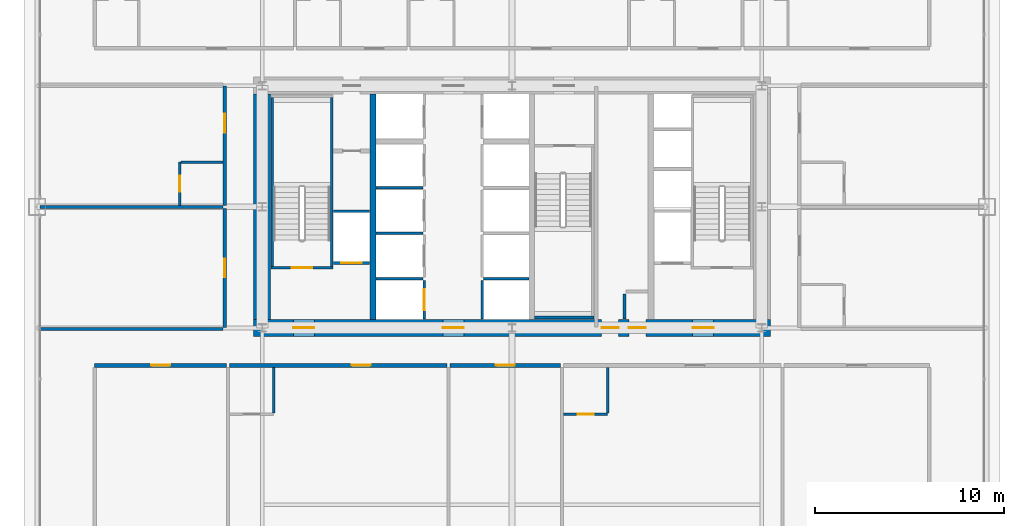
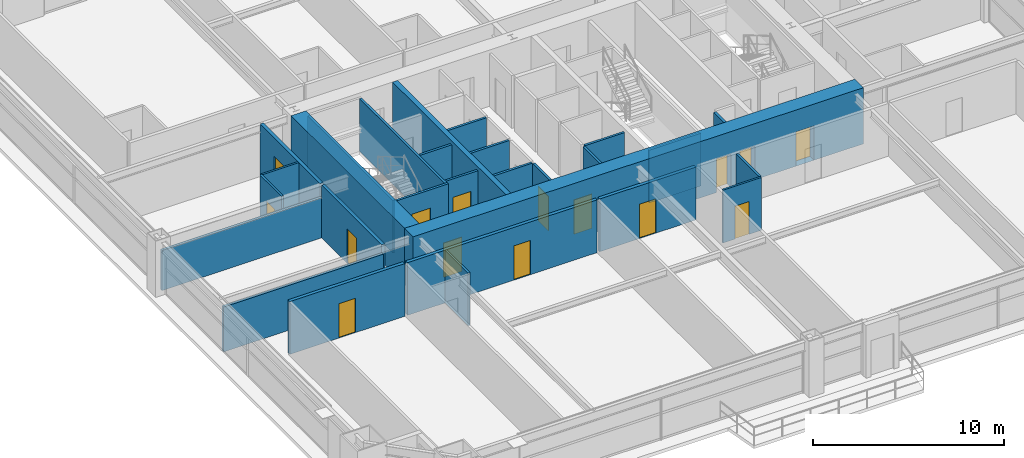
# One storey, part 39 of 43: 28 walls, 15 doors, 15 openings.
"""IFC4 building model written with IfcOpenShell, lengths in metres."""

from ifc_helpers import new_model, si_unit, direction, frame, frame_2d, origin, place, context, subcontext, project, spatial, rectangle, extrude, source, transform, mapped, material, layer, layer_set, type_object, element, fill, save


model = new_model("IFC4")

# Units and contexts
model_context = context("Model", 3, precision=1e-05, world=origin(), true_north=direction((0.0, 1.0)))
body_context = subcontext(model_context, "Body", "Model", "MODEL_VIEW")
ifc_project = project(units=[si_unit("LENGTHUNIT", "METRE"), si_unit("AREAUNIT", "SQUARE_METRE"), si_unit("VOLUMEUNIT", "CUBIC_METRE"), si_unit("PLANEANGLEUNIT", "RADIAN"), si_unit("MASSUNIT", "GRAM", prefix="KILO"), si_unit("THERMODYNAMICTEMPERATUREUNIT", "KELVIN"), si_unit("POWERUNIT", "WATT")], contexts=[model_context])

# Site, building, storey
site_placement = place(None, origin())
site = spatial("IfcSite", under=ifc_project, at=site_placement, CompositionType="ELEMENT")
building_placement = place(site_placement, origin())
building = spatial("IfcBuilding", under=site, at=building_placement, Name="Yuzanri Waterfront Tower", CompositionType="ELEMENT")
storey_placement = place(building_placement, frame((0.0, 0.0, 78.39990234375)))
storey = spatial("IfcBuildingStorey", under=building, at=storey_placement, Name="L20", CompositionType="ELEMENT", Elevation=78.39990234375)

# Wall, opening, door
ifc_material_1 = material(Name="Moisture-Resistant Gypsum Stud Wall", Category="gypsum")
ifc_layer_1 = layer(ifc_material_1, 0.1201171875)
ifc_layer_set_1 = layer_set([ifc_layer_1], Name="Moisture-Resistant Gypsum Stud Wall")
wall_type_1 = type_object("IfcWallType", Name="Bathroom and Kitchen Wet Partition 120", PredefinedType="PARTITIONING", material=ifc_layer_set_1)
wall_1_placement = place(storey_placement, frame((39.72705078125, 14.840087890625, 0.0), z_axis=(0.0, 0.0, 1.0), x_axis=(1.0, 0.0, 0.0)))
wall_1 = element("IfcWall", 1, at=wall_1_placement, inside=storey, type_object=wall_type_1, Name="L20 Partition UW-L20-S4-BS", PredefinedType="PARTITIONING", context=body_context, shape_type="SweptSolid", body=[
    extrude(rectangle(XDim=2.329833984375, YDim=0.1201171875, at=frame_2d((1.1650390625, 0.0))), origin(), (0.0, 0.0, 1.0), 3.380126953125),
])
opening_1_placement = place(wall_1_placement, frame((0.739990234375, 0.0, 0.0)))
opening_1 = element("IfcOpeningElement", 2, at=opening_1_placement, cuts=wall_1, Name="Opening ID-0850", PredefinedType="OPENING", context=body_context, shape_type="SweptSolid", body=[
    extrude(rectangle(XDim=0.85009765625, YDim=2.10009765625, at=frame_2d((0.425048828125, 1.050048828125))), frame((0.0, 0.074951171875, 0.0), z_axis=(0.0, -1.0, 0.0), x_axis=(1.0, 0.0, 0.0)), (0.0, 0.0, 1.0), 0.14990234375),
])
ifc_material_2 = material(Name="Moisture-Resistant Lacquered Timber", Category="wood")
door_type_1 = type_object("IfcDoorType", Name="En-Suite Bathroom and Kitchen Swing Door 850x2100", OperationType="NOTDEFINED", PredefinedType="DOOR", material=ifc_material_2)
shared_shape_1 = source(origin(), body_context, "Body", "SweptSolid", [
    extrude(rectangle(XDim=0.85009765625, YDim=2.10009765625, at=frame_2d((0.425048828125, 1.050048828125))), frame((0.0, 0.02490234375, 0.0), z_axis=(0.0, -1.0, 0.0), x_axis=(1.0, 0.0, 0.0)), (0.0, 0.0, 1.0), 0.050048828125),
])
door_1_placement = place(opening_1_placement, origin())
door_1 = element("IfcDoor", 3, at=door_1_placement, inside=storey, type_object=door_type_1, Name="L20 Guest En-Suite Door", OperationType="SINGLE_SWING_LEFT", OverallHeight=2.10009765625, OverallWidth=0.85009765625, PredefinedType="DOOR", context=body_context, shape_type="MappedRepresentation", body=[
    mapped(shared_shape_1, transform((0.0, 0.0, 0.0), scale=1.0)),
])
fill(opening_1, door_1)

wall_2_placement = place(storey_placement, frame((19.43994140625, 25.8798828125, 0.0), z_axis=(0.0, 0.0, 1.0), x_axis=(0.0, 1.0, 0.0)))
wall_2 = element("IfcWall", 4, at=wall_2_placement, inside=storey, type_object=wall_type_1, Name="L20 Partition UW-L20-W2-BW", PredefinedType="PARTITIONING", context=body_context, shape_type="SweptSolid", body=[
    extrude(rectangle(XDim=2.280029296875, YDim=0.1201171875, at=frame_2d((1.14013671875, 0.0))), origin(), (0.0, 0.0, 1.0), 3.380126953125),
])
opening_2_placement = place(wall_2_placement, frame((0.715087890625, 0.0, 0.0)))
opening_2 = element("IfcOpeningElement", 5, at=opening_2_placement, cuts=wall_2, Name="Opening ID-0850", PredefinedType="OPENING", context=body_context, shape_type="SweptSolid", body=[
    extrude(rectangle(XDim=0.85009765625, YDim=2.10009765625, at=frame_2d((0.425048828125, 1.050048828125))), frame((0.0, 0.074951171875, 0.0), z_axis=(0.0, -1.0, 0.0), x_axis=(1.0, 0.0, 0.0)), (0.0, 0.0, 1.0), 0.14990234375),
])
door_2_placement = place(opening_2_placement, origin())
door_2 = element("IfcDoor", 6, at=door_2_placement, inside=storey, type_object=door_type_1, Name="L20 Guest En-Suite Door", OperationType="SINGLE_SWING_LEFT", OverallHeight=2.10009765625, OverallWidth=0.85009765625, PredefinedType="DOOR", context=body_context, shape_type="MappedRepresentation", body=[
    mapped(shared_shape_1, transform((0.0, 0.0, 0.0), scale=1.0)),
])
fill(opening_2, door_2)

# Wall, openings, doors
ifc_material_3 = material(Name="Concrete C60", Category="concrete")
ifc_layer_2 = layer(ifc_material_3, 0.89990234375)
ifc_layer_set_2 = layer_set([ifc_layer_2], Name="Concrete C60")
wall_type_2 = type_object("IfcWallType", Name="Concrete C60 Lower Zone Core Shear Wall 900", PredefinedType="SHEAR", material=ifc_layer_set_2)
wall_3_placement = place(storey_placement, frame((23.35009765625, 19.39990234375, 0.0), z_axis=(0.0, 0.0, 1.0), x_axis=(1.0, 0.0, 0.0)))
wall_3 = element("IfcWall", 7, at=wall_3_placement, inside=storey, type_object=wall_type_2, Name="L20 Core South Shear Wall", PredefinedType="SHEAR", context=body_context, shape_type="SweptSolid", body=[
    extrude(rectangle(XDim=27.2998046875, YDim=0.89990234375, at=frame_2d((13.64990234375, 0.0))), origin(), (0.0, 0.0, 1.0), 3.60009765625),
])
opening_3_placement = place(wall_3_placement, frame((2.10009765625, 0.0, 0.0)))
opening_3 = element("IfcOpeningElement", 8, at=opening_3_placement, cuts=wall_3, Name="Opening FD-1100", PredefinedType="OPENING", context=body_context, shape_type="SweptSolid", body=[
    extrude(rectangle(XDim=1.10009765625, YDim=2.199951171875, at=frame_2d((0.550048828125, 1.10009765625))), frame((0.0, 0.46484375, 0.0), z_axis=(0.0, -1.0, 0.0), x_axis=(1.0, 0.0, 0.0)), (0.0, 0.0, 1.0), 0.9296875),
])
opening_4_placement = place(wall_3_placement, frame((10.0, 0.0, 0.0)))
opening_4 = element("IfcOpeningElement", 9, at=opening_4_placement, cuts=wall_3, Name="Opening FD-1100", PredefinedType="OPENING", context=body_context, shape_type="SweptSolid", body=[
    extrude(rectangle(XDim=1.10009765625, YDim=2.199951171875, at=frame_2d((0.550048828125, 1.10009765625))), frame((0.0, 0.46484375, 0.0), z_axis=(0.0, -1.0, 0.0), x_axis=(1.0, 0.0, 0.0)), (0.0, 0.0, 1.0), 0.9296875),
])
opening_5_placement = place(wall_3_placement, frame((23.199951171875, 0.0, 0.0)))
opening_5 = element("IfcOpeningElement", 10, at=opening_5_placement, cuts=wall_3, Name="Opening FD-1100", PredefinedType="OPENING", context=body_context, shape_type="SweptSolid", body=[
    extrude(rectangle(XDim=1.10009765625, YDim=2.199951171875, at=frame_2d((0.550048828125, 1.10009765625))), frame((0.0, 0.46484375, 0.0), z_axis=(0.0, -1.0, 0.0), x_axis=(1.0, 0.0, 0.0)), (0.0, 0.0, 1.0), 0.9296875),
])
opening_6_placement = place(wall_3_placement, frame((19.820068359375, 0.0, 0.0)))
opening_6 = element("IfcOpeningElement", 11, at=opening_6_placement, cuts=wall_3, Name="Opening FD-0900", PredefinedType="OPENING", context=body_context, shape_type="SweptSolid", body=[
    extrude(rectangle(XDim=0.89990234375, YDim=2.14990234375, at=frame_2d((0.449951171875, 1.074951171875))), frame((0.0, 0.46484375, 0.0), z_axis=(0.0, -1.0, 0.0), x_axis=(1.0, 0.0, 0.0)), (0.0, 0.0, 1.0), 0.9296875),
])
opening_7_placement = place(wall_3_placement, frame((18.3798828125, 0.0, 0.0)))
opening_7 = element("IfcOpeningElement", 12, at=opening_7_placement, cuts=wall_3, Name="Opening FD-0900", PredefinedType="OPENING", context=body_context, shape_type="SweptSolid", body=[
    extrude(rectangle(XDim=0.89990234375, YDim=2.14990234375, at=frame_2d((0.449951171875, 1.074951171875))), frame((0.0, 0.46484375, 0.0), z_axis=(0.0, -1.0, 0.0), x_axis=(1.0, 0.0, 0.0)), (0.0, 0.0, 1.0), 0.9296875),
])
ifc_material_4 = material(Name="Painted Galvanized Fire Steel", Category="steel")
door_type_2 = type_object("IfcDoorType", Name="Smoke-Proof Stair and Lobby Fire Door 1100x2200", OperationType="NOTDEFINED", PredefinedType="DOOR", material=ifc_material_4)
shared_shape_2 = source(origin(), body_context, "Body", "SweptSolid", [
    extrude(rectangle(XDim=1.10009765625, YDim=2.199951171875, at=frame_2d((0.550048828125, 1.10009765625))), frame((0.0, 0.02490234375, 0.0), z_axis=(0.0, -1.0, 0.0), x_axis=(1.0, 0.0, 0.0)), (0.0, 0.0, 1.0), 0.050048828125),
])
door_3_placement = place(opening_3_placement, origin())
door_3 = element("IfcDoor", 13, at=door_3_placement, inside=storey, type_object=door_type_2, Name="L20 West Firefighting Lobby Door", OperationType="SINGLE_SWING_LEFT", OverallHeight=2.199951171875, OverallWidth=1.10009765625, PredefinedType="DOOR", context=body_context, shape_type="MappedRepresentation", body=[
    mapped(shared_shape_2, transform((0.0, 0.0, 0.0), scale=1.0)),
])
fill(opening_3, door_3)
door_4_placement = place(opening_4_placement, origin())
door_4 = element("IfcDoor", 14, at=door_4_placement, inside=storey, type_object=door_type_2, Name="L20 Central Lift Lobby South Door", OperationType="SINGLE_SWING_RIGHT", OverallHeight=2.199951171875, OverallWidth=1.10009765625, PredefinedType="DOOR", context=body_context, shape_type="MappedRepresentation", body=[
    mapped(shared_shape_2, transform((0.0, 0.0, 0.0), scale=1.0)),
])
fill(opening_4, door_4)
door_5_placement = place(opening_5_placement, origin())
door_5 = element("IfcDoor", 15, at=door_5_placement, inside=storey, type_object=door_type_2, Name="L20 East Firefighting Lobby Door", OperationType="SINGLE_SWING_LEFT", OverallHeight=2.199951171875, OverallWidth=1.10009765625, PredefinedType="DOOR", context=body_context, shape_type="MappedRepresentation", body=[
    mapped(shared_shape_2, transform((0.0, 0.0, 0.0), scale=1.0)),
])
fill(opening_5, door_5)
ifc_material_5 = material(Name="Painted Galvanized Fire Steel", Category="steel")
door_type_3 = type_object("IfcDoorType", Name="Riser and Service Room Fire Door 900x2150", OperationType="NOTDEFINED", PredefinedType="DOOR", material=ifc_material_5)
shared_shape_3 = source(origin(), body_context, "Body", "SweptSolid", [
    extrude(rectangle(XDim=0.89990234375, YDim=2.14990234375, at=frame_2d((0.449951171875, 1.074951171875))), frame((0.0, 0.02490234375, 0.0), z_axis=(0.0, -1.0, 0.0), x_axis=(1.0, 0.0, 0.0)), (0.0, 0.0, 1.0), 0.050048828125),
])
door_6_placement = place(opening_6_placement, origin())
door_6 = element("IfcDoor", 16, at=door_6_placement, inside=storey, type_object=door_type_3, Name="L20 East Wet Riser Door", OperationType="SINGLE_SWING_RIGHT", OverallHeight=2.14990234375, OverallWidth=0.89990234375, PredefinedType="DOOR", context=body_context, shape_type="MappedRepresentation", body=[
    mapped(shared_shape_3, transform((0.0, 0.0, 0.0), scale=1.0)),
])
fill(opening_6, door_6)
door_7_placement = place(opening_7_placement, origin())
door_7 = element("IfcDoor", 17, at=door_7_placement, inside=storey, type_object=door_type_3, Name="L20 Housekeeping Room", OperationType="SINGLE_SWING_LEFT", OverallHeight=2.14990234375, OverallWidth=0.89990234375, PredefinedType="DOOR", context=body_context, shape_type="MappedRepresentation", body=[
    mapped(shared_shape_3, transform((0.0, 0.0, 0.0), scale=1.0)),
])
fill(opening_7, door_7)

# Wall, opening, door
ifc_material_6 = material(Name="Concrete C40", Category="concrete")
ifc_layer_3 = layer(ifc_material_6, 0.139892578125)
ifc_layer_set_3 = layer_set([ifc_layer_3], Name="Concrete C40")
wall_type_3 = type_object("IfcWallType", Name="Core Stair Liner and Hoistway Shaft Wall 140", PredefinedType="SOLIDWALL", material=ifc_layer_set_3)
wall_4_placement = place(storey_placement, frame((27.56005859375, 22.830078125, 0.0), z_axis=(0.0, 0.0, 1.0), x_axis=(1.0, 0.0, 0.0)))
wall_4 = element("IfcWall", 18, at=wall_4_placement, inside=storey, type_object=wall_type_3, Name="L20 Lift FL-01 Front Shaft Wall", PredefinedType="SOLIDWALL", context=body_context, shape_type="SweptSolid", body=[
    extrude(rectangle(XDim=1.919921875, YDim=0.139892578125, at=frame_2d((0.9599609375, 0.0))), origin(), (0.0, 0.0, 1.0), 3.380126953125),
])
opening_8_placement = place(wall_4_placement, frame((0.409912109375, 0.0, 0.0)))
opening_8 = element("IfcOpeningElement", 19, at=opening_8_placement, cuts=wall_4, Name="Opening LD-FL-01", PredefinedType="OPENING", context=body_context, shape_type="SweptSolid", body=[
    extrude(rectangle(XDim=1.10009765625, YDim=2.199951171875, at=frame_2d((0.550048828125, 1.10009765625))), frame((0.0, 0.0849609375, 0.0), z_axis=(0.0, -1.0, 0.0), x_axis=(1.0, 0.0, 0.0)), (0.0, 0.0, 1.0), 0.169677734375),
])
ifc_material_7 = material(Name="Brushed Bronze and Stainless Steel Cab", Category="steel")
door_type_4 = type_object("IfcDoorType", Name="Center-Parting Bronze Lift Landing Sliding Door 1100x2200", OperationType="NOTDEFINED", PredefinedType="DOOR", material=ifc_material_7)
shared_shape_4 = source(origin(), body_context, "Body", "SweptSolid", [
    extrude(rectangle(XDim=1.10009765625, YDim=2.199951171875, at=frame_2d((0.550048828125, 1.10009765625))), frame((0.0, 0.02490234375, 0.0), z_axis=(0.0, -1.0, 0.0), x_axis=(1.0, 0.0, 0.0)), (0.0, 0.0, 1.0), 0.050048828125),
])
door_8_placement = place(opening_8_placement, origin())
door_8 = element("IfcDoor", 20, at=door_8_placement, inside=storey, type_object=door_type_4, Name="L20 FL-01 Lift Landing Sliding Door", OperationType="SLIDING_TO_LEFT", OverallHeight=2.199951171875, OverallWidth=1.10009765625, PredefinedType="DOOR", context=body_context, shape_type="MappedRepresentation", body=[
    mapped(shared_shape_4, transform((0.0, 0.0, 0.0), scale=1.0)),
])
fill(opening_8, door_8)

wall_5_placement = place(storey_placement, frame((32.3701171875, 19.860107421875, 0.0), z_axis=(0.0, 0.0, 1.0), x_axis=(0.0, 1.0, 0.0)))
wall_5 = element("IfcWall", 21, at=wall_5_placement, inside=storey, type_object=wall_type_3, Name="L20 Lift PL-01 Front Shaft Wall", PredefinedType="SOLIDWALL", context=body_context, shape_type="SweptSolid", body=[
    extrude(rectangle(XDim=2.039794921875, YDim=0.139892578125, at=frame_2d((1.02001953125, 0.0))), origin(), (0.0, 0.0, 1.0), 3.380126953125),
])
opening_9_placement = place(wall_5_placement, frame((0.469970703125, 0.0, 0.0)))
opening_9 = element("IfcOpeningElement", 22, at=opening_9_placement, cuts=wall_5, Name="Opening LD-PL-01", PredefinedType="OPENING", context=body_context, shape_type="SweptSolid", body=[
    extrude(rectangle(XDim=1.10009765625, YDim=2.199951171875, at=frame_2d((0.550048828125, 1.10009765625))), frame((0.0, 0.0849609375, 0.0), z_axis=(0.0, -1.0, 0.0), x_axis=(1.0, 0.0, 0.0)), (0.0, 0.0, 1.0), 0.169677734375),
])
door_9_placement = place(opening_9_placement, origin())
door_9 = element("IfcDoor", 23, at=door_9_placement, inside=storey, type_object=door_type_4, Name="L20 PL-01 Lift Landing Sliding Door", OperationType="SLIDING_TO_LEFT", OverallHeight=2.199951171875, OverallWidth=1.10009765625, PredefinedType="DOOR", context=body_context, shape_type="MappedRepresentation", body=[
    mapped(shared_shape_4, transform((0.0, 0.0, 0.0), scale=1.0)),
])
fill(opening_9, door_9)

wall_6_placement = place(storey_placement, frame((24.260009765625, 22.570068359375, 0.0), z_axis=(0.0, 0.0, 1.0), x_axis=(1.0, 0.0, 0.0)))
wall_6 = element("IfcWall", 24, at=wall_6_placement, inside=storey, type_object=wall_type_3, Name="L20 Shaft Wall STW-L20-ST-01-S", PredefinedType="SOLIDWALL", context=body_context, shape_type="SweptSolid", body=[
    extrude(rectangle(XDim=3.280029296875, YDim=0.139892578125, at=frame_2d((1.64013671875, 0.0))), origin(), (0.0, 0.0, 1.0), 3.380126953125),
])
opening_10_placement = place(wall_6_placement, frame((1.090087890625, 0.0, 0.0)))
opening_10 = element("IfcOpeningElement", 25, at=opening_10_placement, cuts=wall_6, Name="Opening FD-1100", PredefinedType="OPENING", context=body_context, shape_type="SweptSolid", body=[
    extrude(rectangle(XDim=1.10009765625, YDim=2.199951171875, at=frame_2d((0.550048828125, 1.10009765625))), frame((0.0, 0.0849609375, 0.0), z_axis=(0.0, -1.0, 0.0), x_axis=(1.0, 0.0, 0.0)), (0.0, 0.0, 1.0), 0.169677734375),
])
door_10_placement = place(opening_10_placement, origin())
door_10 = element("IfcDoor", 26, at=door_10_placement, inside=storey, type_object=door_type_2, Name="L20 Stair ST-01 Fire Door", OperationType="SINGLE_SWING_RIGHT", OverallHeight=2.199951171875, OverallWidth=1.10009765625, PredefinedType="DOOR", context=body_context, shape_type="MappedRepresentation", body=[
    mapped(shared_shape_2, transform((0.0, 0.0, 0.0), scale=1.0)),
])
fill(opening_10, door_10)

ifc_material_8 = material(Name="Autoclaved Aerated Concrete Blockwork", Category="masonry")
ifc_layer_4 = layer(ifc_material_8, 0.199951171875)
ifc_layer_set_4 = layer_set([ifc_layer_4], Name="Autoclaved Aerated Concrete Blockwork")
wall_type_4 = type_object("IfcWallType", Name="Corridor and Unit Party Fire Wall 200", PredefinedType="PARTITIONING", material=ifc_layer_set_4)
wall_7_placement = place(storey_placement, frame((14.93994140625, 17.419921875, 0.0), z_axis=(0.0, 0.0, 1.0), x_axis=(1.0, 0.0, 0.0)))
wall_7 = element("IfcWall", 27, at=wall_7_placement, inside=storey, type_object=wall_type_4, Name="L20 Partition UW-L20-S1-CN", PredefinedType="PARTITIONING", context=body_context, shape_type="SweptSolid", body=[
    extrude(rectangle(XDim=6.97900390625, YDim=0.199951171875, at=frame_2d((3.489501953125, 0.0))), origin(), (0.0, 0.0, 1.0), 3.380126953125),
])
opening_11_placement = place(wall_7_placement, frame((2.989990234375, 0.0, 0.0)))
opening_11 = element("IfcOpeningElement", 28, at=opening_11_placement, cuts=wall_7, Name="Opening FD-1000", PredefinedType="OPENING", context=body_context, shape_type="SweptSolid", body=[
    extrude(rectangle(XDim=1.0, YDim=2.199951171875, at=frame_2d((0.5, 1.10009765625))), frame((0.0, 0.11474609375, 0.0), z_axis=(0.0, -1.0, 0.0), x_axis=(1.0, 0.0, 0.0)), (0.0, 0.0, 1.0), 0.229736328125),
])
ifc_material_9 = material(Name="Engineered Oak Fire-Rated Timber", Category="wood")
door_type_5 = type_object("IfcDoorType", Name="Guestroom and Apartment Entrance Fire Door 1000x2200", OperationType="NOTDEFINED", PredefinedType="DOOR", material=ifc_material_9)
shared_shape_5 = source(origin(), body_context, "Body", "SweptSolid", [
    extrude(rectangle(XDim=1.0, YDim=2.199951171875, at=frame_2d((0.5, 1.10009765625))), frame((0.0, 0.02490234375, 0.0), z_axis=(0.0, -1.0, 0.0), x_axis=(1.0, 0.0, 0.0)), (0.0, 0.0, 1.0), 0.050048828125),
])
door_11_placement = place(opening_11_placement, origin())
door_11 = element("IfcDoor", 29, at=door_11_placement, inside=storey, type_object=door_type_5, Name="L20 Presidential Club Room Entrance Door", OperationType="SINGLE_SWING_RIGHT", OverallHeight=2.199951171875, OverallWidth=1.0, PredefinedType="DOOR", context=body_context, shape_type="MappedRepresentation", body=[
    mapped(shared_shape_5, transform((0.0, 0.0, 0.0), scale=1.0)),
])
fill(opening_11, door_11)

wall_8_placement = place(storey_placement, frame((22.0791015625, 17.419921875, 0.0), z_axis=(0.0, 0.0, 1.0), x_axis=(1.0, 0.0, 0.0)))
wall_8 = element("IfcWall", 30, at=wall_8_placement, inside=storey, type_object=wall_type_4, Name="L20 Partition UW-L20-S2-CN", PredefinedType="PARTITIONING", context=body_context, shape_type="SweptSolid", body=[
    extrude(rectangle(XDim=11.48779296875, YDim=0.199951171875, at=frame_2d((5.743896484375, 0.0))), origin(), (0.0, 0.0, 1.0), 3.380126953125),
])
opening_12_placement = place(wall_8_placement, frame((6.448974609375, 0.0, 0.0)))
opening_12 = element("IfcOpeningElement", 31, at=opening_12_placement, cuts=wall_8, Name="Opening FD-1000", PredefinedType="OPENING", context=body_context, shape_type="SweptSolid", body=[
    extrude(rectangle(XDim=1.0, YDim=2.199951171875, at=frame_2d((0.5, 1.10009765625))), frame((0.0, 0.11474609375, 0.0), z_axis=(0.0, -1.0, 0.0), x_axis=(1.0, 0.0, 0.0)), (0.0, 0.0, 1.0), 0.229736328125),
])
door_12_placement = place(opening_12_placement, origin())
door_12 = element("IfcDoor", 32, at=door_12_placement, inside=storey, type_object=door_type_5, Name="L20 Royal Riverfront Suite Entrance Door", OperationType="SINGLE_SWING_LEFT", OverallHeight=2.199951171875, OverallWidth=1.0, PredefinedType="DOOR", context=body_context, shape_type="MappedRepresentation", body=[
    mapped(shared_shape_5, transform((0.0, 0.0, 0.0), scale=1.0)),
])
fill(opening_12, door_12)

wall_9_placement = place(storey_placement, frame((33.72705078125, 17.419921875, 0.0), z_axis=(0.0, 0.0, 1.0), x_axis=(1.0, 0.0, 0.0)))
wall_9 = element("IfcWall", 33, at=wall_9_placement, inside=storey, type_object=wall_type_4, Name="L20 Partition UW-L20-S3-CN", PredefinedType="PARTITIONING", context=body_context, shape_type="SweptSolid", body=[
    extrude(rectangle(XDim=5.83984375, YDim=0.199951171875, at=frame_2d((2.919921875, 0.0))), origin(), (0.0, 0.0, 1.0), 3.380126953125),
])
opening_13_placement = place(wall_9_placement, frame((2.419921875, 0.0, 0.0)))
opening_13 = element("IfcOpeningElement", 34, at=opening_13_placement, cuts=wall_9, Name="Opening FD-1000", PredefinedType="OPENING", context=body_context, shape_type="SweptSolid", body=[
    extrude(rectangle(XDim=1.0, YDim=2.199951171875, at=frame_2d((0.5, 1.10009765625))), frame((0.0, 0.11474609375, 0.0), z_axis=(0.0, -1.0, 0.0), x_axis=(1.0, 0.0, 0.0)), (0.0, 0.0, 1.0), 0.229736328125),
])
door_13_placement = place(opening_13_placement, origin())
door_13 = element("IfcDoor", 35, at=door_13_placement, inside=storey, type_object=door_type_5, Name="L20 Horizon Club Room Entrance Door", OperationType="SINGLE_SWING_LEFT", OverallHeight=2.199951171875, OverallWidth=1.0, PredefinedType="DOOR", context=body_context, shape_type="MappedRepresentation", body=[
    mapped(shared_shape_5, transform((0.0, 0.0, 0.0), scale=1.0)),
])
fill(opening_13, door_13)

wall_10_placement = place(storey_placement, frame((21.820068359375, 19.409912109375, 0.0), z_axis=(0.0, 0.0, 1.0), x_axis=(0.0, 1.0, 0.0)))
wall_10 = element("IfcWall", 36, at=wall_10_placement, inside=storey, type_object=wall_type_4, Name="L20 Partition UW-L20-W1-CW", PredefinedType="PARTITIONING", context=body_context, shape_type="SweptSolid", body=[
    extrude(rectangle(XDim=6.31005859375, YDim=0.199951171875, at=frame_2d((3.155029296875, 0.0))), origin(), (0.0, 0.0, 1.0), 3.380126953125),
])
opening_14_placement = place(wall_10_placement, frame((2.655029296875, 0.0, 0.0)))
opening_14 = element("IfcOpeningElement", 37, at=opening_14_placement, cuts=wall_10, Name="Opening FD-1000", PredefinedType="OPENING", context=body_context, shape_type="SweptSolid", body=[
    extrude(rectangle(XDim=1.0, YDim=2.199951171875, at=frame_2d((0.5, 1.10009765625))), frame((0.0, 0.11474609375, 0.0), z_axis=(0.0, -1.0, 0.0), x_axis=(1.0, 0.0, 0.0)), (0.0, 0.0, 1.0), 0.229736328125),
])
door_14_placement = place(opening_14_placement, origin())
door_14 = element("IfcDoor", 38, at=door_14_placement, inside=storey, type_object=door_type_5, Name="L20 West Club Room Entrance Door", OperationType="SINGLE_SWING_LEFT", OverallHeight=2.199951171875, OverallWidth=1.0, PredefinedType="DOOR", context=body_context, shape_type="MappedRepresentation", body=[
    mapped(shared_shape_5, transform((0.0, 0.0, 0.0), scale=1.0)),
])
fill(opening_14, door_14)

wall_11_placement = place(storey_placement, frame((21.820068359375, 25.8798828125, 0.0), z_axis=(0.0, 0.0, 1.0), x_axis=(0.0, 1.0, 0.0)))
wall_11 = element("IfcWall", 39, at=wall_11_placement, inside=storey, type_object=wall_type_4, Name="L20 Partition UW-L20-W2-CW", PredefinedType="PARTITIONING", context=body_context, shape_type="SweptSolid", body=[
    extrude(rectangle(XDim=6.31005859375, YDim=0.199951171875, at=frame_2d((3.155029296875, 0.0))), origin(), (0.0, 0.0, 1.0), 3.380126953125),
])
opening_15_placement = place(wall_11_placement, frame((3.8349609375, 0.0, 0.0)))
opening_15 = element("IfcOpeningElement", 40, at=opening_15_placement, cuts=wall_11, Name="Opening FD-1000", PredefinedType="OPENING", context=body_context, shape_type="SweptSolid", body=[
    extrude(rectangle(XDim=1.0, YDim=2.199951171875, at=frame_2d((0.5, 1.10009765625))), frame((0.0, 0.11474609375, 0.0), z_axis=(0.0, -1.0, 0.0), x_axis=(1.0, 0.0, 0.0)), (0.0, 0.0, 1.0), 0.229736328125),
])
door_15_placement = place(opening_15_placement, origin())
door_15 = element("IfcDoor", 41, at=door_15_placement, inside=storey, type_object=door_type_5, Name="L20 West Guest Room Entrance Door", OperationType="SINGLE_SWING_RIGHT", OverallHeight=2.199951171875, OverallWidth=1.0, PredefinedType="DOOR", context=body_context, shape_type="MappedRepresentation", body=[
    mapped(shared_shape_5, transform((0.0, 0.0, 0.0), scale=1.0)),
])
fill(opening_15, door_15)

# Walls
shared_shape_6 = source(origin(), body_context, "Body", "SweptSolid", [
    extrude(rectangle(XDim=11.89990234375, YDim=0.89990234375, at=frame_2d((5.949951171875, 0.0))), origin(), (0.0, 0.0, 1.0), 3.60009765625),
])
wall_12_placement = place(storey_placement, frame((23.800048828125, 19.85009765625, 0.0), z_axis=(0.0, 0.0, 1.0), x_axis=(0.0, 1.0, 0.0)))
element("IfcWall", 42, at=wall_12_placement, inside=storey, type_object=wall_type_2, Name="L20 Core West Shear Wall", PredefinedType="SHEAR", context=body_context, shape_type="MappedRepresentation", body=[
    mapped(shared_shape_6, transform((0.0, 0.0, 0.0), scale=1.0)),
])
ifc_material_10 = material(Name="Concrete C50", Category="concrete")
ifc_layer_5 = layer(ifc_material_10, 0.300048828125)
ifc_layer_set_5 = layer_set([ifc_layer_5], Name="Concrete C50")
wall_type_5 = type_object("IfcWallType", Name="Concrete C50 Internal Core Shaft Structural Wall 300", PredefinedType="SOLIDWALL", material=ifc_layer_set_5)
shared_shape_7 = source(origin(), body_context, "Body", "SweptSolid", [
    extrude(rectangle(XDim=11.89990234375, YDim=0.300048828125, at=frame_2d((5.949951171875, 0.0))), origin(), (0.0, 0.0, 1.0), 3.60009765625),
])
wall_13_placement = place(storey_placement, frame((29.64990234375, 19.85009765625, 0.0), z_axis=(0.0, 0.0, 1.0), x_axis=(0.0, 1.0, 0.0)))
element("IfcWall", 43, at=wall_13_placement, inside=storey, type_object=wall_type_5, Name="L20 Core Internal Structural Web Wall 1", PredefinedType="SOLIDWALL", context=body_context, shape_type="MappedRepresentation", body=[
    mapped(shared_shape_7, transform((0.0, 0.0, 0.0), scale=1.0)),
])
shared_shape_8 = source(origin(), body_context, "Body", "SweptSolid", [
    extrude(rectangle(XDim=1.919921875, YDim=0.139892578125, at=frame_2d((0.9599609375, 0.0))), origin(), (0.0, 0.0, 1.0), 3.380126953125),
])
wall_14_placement = place(storey_placement, frame((27.56005859375, 25.570068359375, 0.0), z_axis=(0.0, 0.0, 1.0), x_axis=(1.0, 0.0, 0.0)))
element("IfcWall", 44, at=wall_14_placement, inside=storey, type_object=wall_type_3, Name="L20 Lift FL-01 Back Shaft Wall", PredefinedType="SOLIDWALL", context=body_context, shape_type="MappedRepresentation", body=[
    mapped(shared_shape_8, transform((0.0, 0.0, 0.0), scale=1.0)),
])
shared_shape_9 = source(origin(), body_context, "Body", "SweptSolid", [
    extrude(rectangle(XDim=2.5, YDim=0.139892578125, at=frame_2d((1.25, 0.0))), origin(), (0.0, 0.0, 1.0), 3.380126953125),
])
for number, where, z_axis, x_axis, name in (
    (45, (29.800048828125, 22.0, 0.0), (0.0, 0.0, 1.0), (1.0, 0.0, 0.0), "L20 Lift PL-01 Divider Wall"),
    (46, (29.800048828125, 24.39990234375, 0.0), (0.0, 0.0, 1.0), (1.0, 0.0, 0.0), "L20 Lift PL-02 Divider Wall"),
    (47, (29.800048828125, 26.800048828125, 0.0), (0.0, 0.0, 1.0), (1.0, 0.0, 0.0), "L20 Lift PL-03 Divider Wall"),
):
    element("IfcWall", number, at=place(storey_placement, frame(where, z_axis=z_axis, x_axis=x_axis)), inside=storey, type_object=wall_type_3, Name=name, PredefinedType="SOLIDWALL", context=body_context, shape_type="MappedRepresentation", body=[
        mapped(shared_shape_9, transform((0.0, 0.0, 0.0), scale=1.0)),
    ])
shared_shape_10 = source(origin(), body_context, "Body", "SweptSolid", [
    extrude(rectangle(XDim=2.039794921875, YDim=0.139892578125, at=frame_2d((1.02001953125, 0.0))), origin(), (0.0, 0.0, 1.0), 3.380126953125),
])
wall_15_placement = place(storey_placement, frame((35.429931640625, 19.860107421875, 0.0), z_axis=(0.0, 0.0, 1.0), x_axis=(0.0, 1.0, 0.0)))
element("IfcWall", 48, at=wall_15_placement, inside=storey, type_object=wall_type_3, Name="L20 Lift PL-05 Front Shaft Wall", PredefinedType="SOLIDWALL", context=body_context, shape_type="MappedRepresentation", body=[
    mapped(shared_shape_10, transform((0.0, 0.0, 0.0), scale=1.0)),
])
shared_shape_11 = source(origin(), body_context, "Body", "SweptSolid", [
    extrude(rectangle(XDim=2.39990234375, YDim=0.139892578125, at=frame_2d((1.199951171875, 0.0))), origin(), (0.0, 0.0, 1.0), 3.380126953125),
])
wall_16_placement = place(storey_placement, frame((35.5, 22.0, 0.0), z_axis=(0.0, 0.0, 1.0), x_axis=(1.0, 0.0, 0.0)))
element("IfcWall", 49, at=wall_16_placement, inside=storey, type_object=wall_type_3, Name="L20 Lift PL-05 Divider Wall", PredefinedType="SOLIDWALL", context=body_context, shape_type="MappedRepresentation", body=[
    mapped(shared_shape_11, transform((0.0, 0.0, 0.0), scale=1.0)),
])
ifc_material_11 = material(Name="Gypsum Fireboard Acoustic Stud Wall", Category="gypsum")
ifc_layer_6 = layer(ifc_material_11, 0.159912109375)
ifc_layer_set_6 = layer_set([ifc_layer_6], Name="Gypsum Fireboard Acoustic Stud Wall")
wall_type_6 = type_object("IfcWallType", Name="Acoustic Suite Demising Partition 160", PredefinedType="PARTITIONING", material=ifc_layer_set_6)
shared_shape_12 = source(origin(), body_context, "Body", "SweptSolid", [
    extrude(rectangle(XDim=9.669921875, YDim=0.159912109375, at=frame_2d((4.8349609375, 0.0))), origin(), (0.0, 0.0, 1.0), 2.875),
])
wall_17_placement = place(storey_placement, frame((12.050048828125, 19.330078125, 0.0), z_axis=(0.0, 0.0, 1.0), x_axis=(1.0, 0.0, 0.0)))
element("IfcWall", 50, at=wall_17_placement, inside=storey, type_object=wall_type_6, Name="L20-W1 Wing South End Wall", PredefinedType="PARTITIONING", context=body_context, shape_type="MappedRepresentation", body=[
    mapped(shared_shape_12, transform((0.0, 0.0, 0.0), scale=1.0)),
])
shared_shape_13 = source(origin(), body_context, "Body", "SweptSolid", [
    extrude(rectangle(XDim=8.940185546875, YDim=0.139892578125, at=frame_2d((4.47021484375, 0.0))), origin(), (0.0, 0.0, 1.0), 3.380126953125),
])
for number, where, z_axis, x_axis, name in (
    (51, (24.330078125, 22.639892578125, 0.0), (0.0, 0.0, 1.0), (0.0, 1.0, 0.0), "L20 Stair ST-01 West Shaft Wall"),
    (52, (27.469970703125, 22.639892578125, 0.0), (0.0, 0.0, 1.0), (0.0, 1.0, 0.0), "L20 Stair ST-01 East Shaft Wall"),
):
    element("IfcWall", number, at=place(storey_placement, frame(where, z_axis=z_axis, x_axis=x_axis)), inside=storey, type_object=wall_type_3, Name=name, PredefinedType="SOLIDWALL", context=body_context, shape_type="MappedRepresentation", body=[
        mapped(shared_shape_13, transform((0.0, 0.0, 0.0), scale=1.0)),
    ])
shared_shape_14 = source(origin(), body_context, "Body", "SweptSolid", [
    extrude(rectangle(XDim=3.14013671875, YDim=0.139892578125, at=frame_2d((1.570068359375, 0.0))), origin(), (0.0, 0.0, 1.0), 3.380126953125),
])
wall_18_placement = place(storey_placement, frame((38.199951171875, 19.949951171875, 0.0), z_axis=(0.0, 0.0, 1.0), x_axis=(1.0, 0.0, 0.0)))
element("IfcWall", 53, at=wall_18_placement, inside=storey, type_object=wall_type_3, Name="L20 Stair ST-03 South Shaft Wall", PredefinedType="SOLIDWALL", context=body_context, shape_type="MappedRepresentation", body=[
    mapped(shared_shape_14, transform((0.0, 0.0, 0.0), scale=1.0)),
])
shared_shape_15 = source(origin(), body_context, "Body", "SweptSolid", [
    extrude(rectangle(XDim=1.33984375, YDim=0.159912109375, at=frame_2d((0.669921875, 0.0))), origin(), (0.0, 0.0, 1.0), 3.380126953125),
])
wall_19_placement = place(storey_placement, frame((42.949951171875, 19.860107421875, 0.0), z_axis=(0.0, 0.0, 1.0), x_axis=(0.0, 1.0, 0.0)))
element("IfcWall", 54, at=wall_19_placement, inside=storey, type_object=wall_type_6, Name="L20 East Wet Riser West Wall", PredefinedType="PARTITIONING", context=body_context, shape_type="MappedRepresentation", body=[
    mapped(shared_shape_15, transform((0.0, 0.0, 0.0), scale=1.0)),
])
shared_shape_16 = source(origin(), body_context, "Body", "SweptSolid", [
    extrude(rectangle(XDim=2.420166015625, YDim=0.1201171875, at=frame_2d((1.2099609375, 0.0))), origin(), (0.0, 0.0, 1.0), 3.380126953125),
])
for number, where, z_axis, x_axis, name in (
    (55, (24.408935546875, 14.89990234375, 0.0), (0.0, 0.0, 1.0), (0.0, 1.0, 0.0), "L20-S2 En-Suite Side Wall"),
    (56, (42.056884765625, 14.89990234375, 0.0), (0.0, 0.0, 1.0), (0.0, 1.0, 0.0), "L20-S4 En-Suite Side Wall"),
):
    element("IfcWall", number, at=place(storey_placement, frame(where, z_axis=z_axis, x_axis=x_axis)), inside=storey, type_object=wall_type_1, Name=name, PredefinedType="PARTITIONING", context=body_context, shape_type="MappedRepresentation", body=[
        mapped(shared_shape_16, transform((0.0, 0.0, 0.0), scale=1.0)),
    ])
shared_shape_17 = source(origin(), body_context, "Body", "SweptSolid", [
    extrude(rectangle(XDim=2.219970703125, YDim=0.1201171875, at=frame_2d((1.10986328125, 0.0))), origin(), (0.0, 0.0, 1.0), 3.380126953125),
])
wall_20_placement = place(storey_placement, frame((19.5, 28.159912109375, 0.0), z_axis=(0.0, 0.0, 1.0), x_axis=(1.0, 0.0, 0.0)))
element("IfcWall", 57, at=wall_20_placement, inside=storey, type_object=wall_type_1, Name="L20-W2 En-Suite Top Wall", PredefinedType="PARTITIONING", context=body_context, shape_type="MappedRepresentation", body=[
    mapped(shared_shape_17, transform((0.0, 0.0, 0.0), scale=1.0)),
])
shared_shape_18 = source(origin(), body_context, "Body", "SweptSolid", [
    extrude(rectangle(XDim=9.669921875, YDim=0.159912109375, at=frame_2d((4.8349609375, 0.0))), origin(), (0.0, 0.0, 1.0), 2.5751953125),
])
wall_21_placement = place(storey_placement, frame((12.050048828125, 25.800048828125, 0.0), z_axis=(0.0, 0.0, 1.0), x_axis=(1.0, 0.0, 0.0)))
element("IfcWall", 58, at=wall_21_placement, inside=storey, type_object=wall_type_6, Name="L20-W1 Wing Party Wall", PredefinedType="PARTITIONING", context=body_context, shape_type="MappedRepresentation", body=[
    mapped(shared_shape_18, transform((0.0, 0.0, 0.0), scale=1.0)),
])

save(model, "model.ifc")
